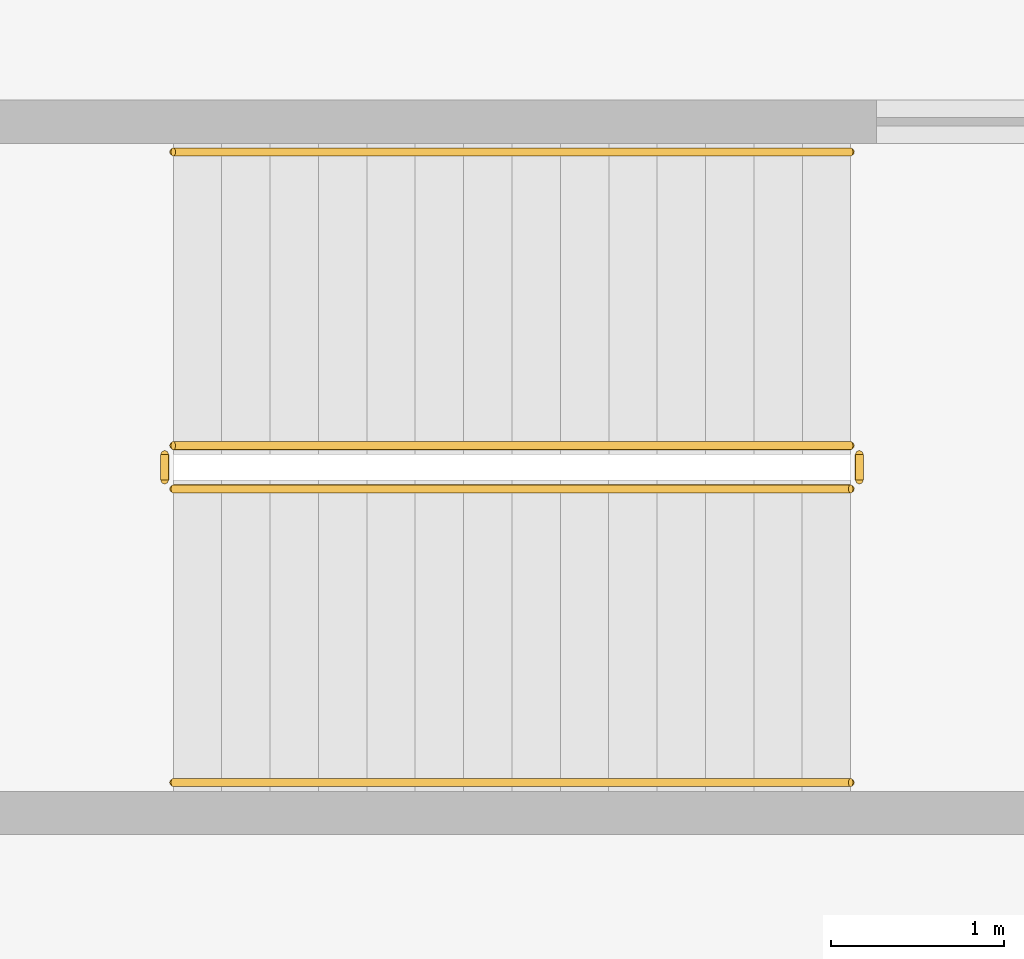
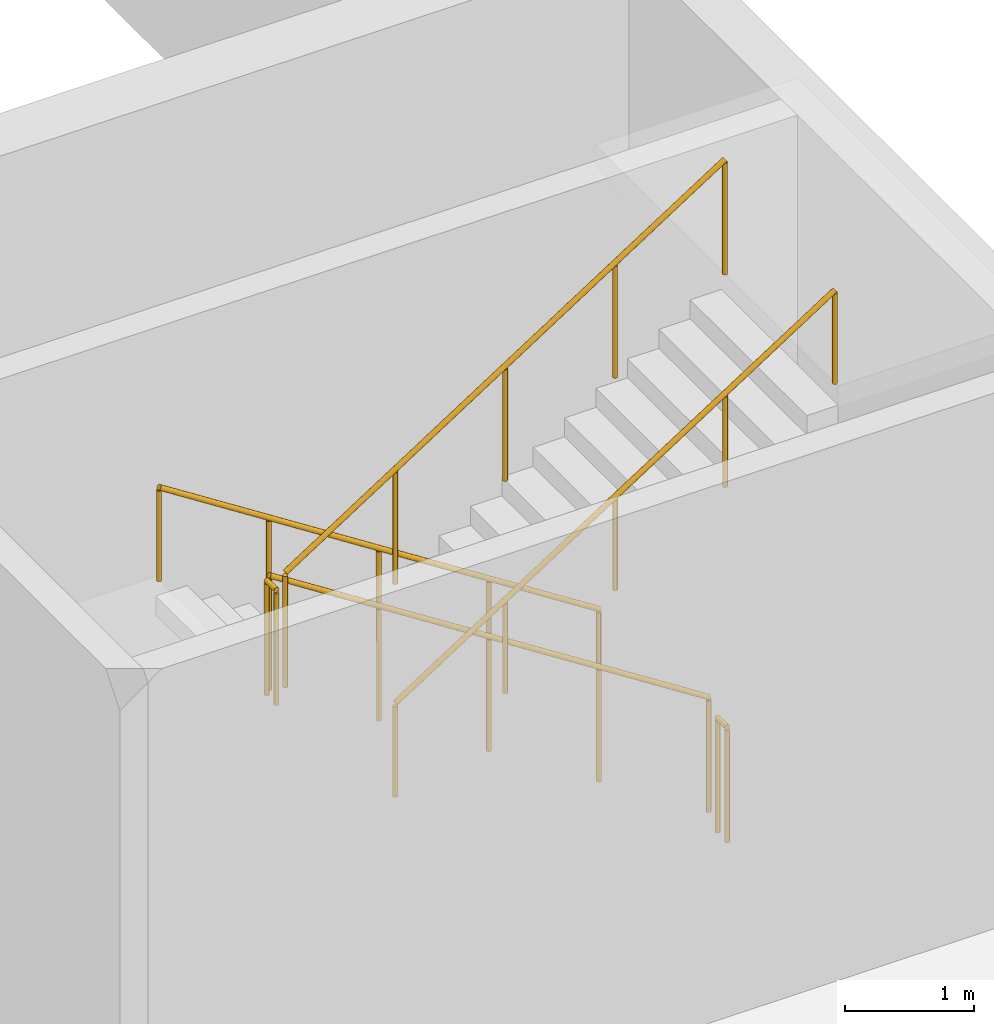
# One storey, part 40 of 43: 6 railings.
"""IFC4 building model written with IfcOpenShell, lengths in metres."""

from ifc_helpers import new_model, si_unit, direction, frame, origin, origin_2d, place, context, subcontext, project, spatial, circle, extrude, material, type_object, element, save


model = new_model("IFC4")

# Units and contexts
model_context = context("Model", 3, precision=1e-05, world=origin(), true_north=direction((0.0, 1.0)))
body_context = subcontext(model_context, "Body", "Model", "MODEL_VIEW")
ifc_project = project(units=[si_unit("LENGTHUNIT", "METRE"), si_unit("AREAUNIT", "SQUARE_METRE"), si_unit("VOLUMEUNIT", "CUBIC_METRE"), si_unit("PLANEANGLEUNIT", "RADIAN"), si_unit("MASSUNIT", "GRAM", prefix="KILO")], contexts=[model_context])

# Site, building, storey
site_placement = place(None, origin())
site = spatial("IfcSite", under=ifc_project, at=site_placement, CompositionType="ELEMENT")
building_placement = place(site_placement, origin())
building = spatial("IfcBuilding", under=site, at=building_placement, Name="Hunhe Ridgeline Campus", CompositionType="ELEMENT")
storey_placement = place(building_placement, frame((0.0, 0.0, 11.39990234375)))
storey = spatial("IfcBuildingStorey", under=building, at=storey_placement, Name="L02", CompositionType="ELEMENT", Elevation=11.39990234375)

# Railings
ifc_material = material(Name="Steel Q235", Category="steel")
railing_type_1 = type_object("IfcRailingType", Name="Hall stair guard 1100", PredefinedType="GUARDRAIL", material=ifc_material)
railing_1_placement = place(storey_placement, frame((207.800048828125, 31.89990234375, 0.18017578125)))
element("IfcRailing", 1, at=railing_1_placement, inside=storey, type_object=railing_type_1, Name="L02 HS3 stair guard 1", PredefinedType="GUARDRAIL", context=body_context, shape_type="SweptSolid", body=[
    extrude(circle(Radius=0.02392578125, at=origin_2d()), frame((0.0, 0.0, 1.076171875), z_axis=(-0.841186985886, 0.0, 0.540744352514), x_axis=(0.0, -1.0, 0.0)), (0.0, 0.0, 1.0), 4.660400390625),
    extrude(circle(Radius=0.02099609375, at=origin_2d()), origin(), (0.0, 0.0, 1.0), 1.052001953125),
    extrude(circle(Radius=0.02099609375, at=origin_2d()), frame((-0.97998046875, 0.0, 0.6298828125)), (0.0, 0.0, 1.0), 1.052001953125),
    extrude(circle(Radius=0.02099609375, at=origin_2d()), frame((-1.9599609375, 0.0, 1.260009765625)), (0.0, 0.0, 1.0), 1.052001953125),
    extrude(circle(Radius=0.02099609375, at=origin_2d()), frame((-2.940185546875, 0.0, 1.89013671875)), (0.0, 0.0, 1.0), 1.052001953125),
    extrude(circle(Radius=0.02099609375, at=origin_2d()), frame((-3.920166015625, 0.0, 2.52001953125)), (0.0, 0.0, 1.0), 1.052001953125),
])
railing_2_placement = place(storey_placement, frame((203.830078125, 31.85009765625, 2.7001953125)))
element("IfcRailing", 2, at=railing_2_placement, inside=storey, type_object=railing_type_1, Name="L02 HS3 stair guard 2", PredefinedType="GUARDRAIL", context=body_context, shape_type="SweptSolid", body=[
    extrude(circle(Radius=0.02392578125, at=origin_2d()), frame((0.0, 0.0, 1.076171875), z_axis=(0.0, -1.0, 0.0), x_axis=(1.0, 0.0, 0.0)), (0.0, 0.0, 1.0), 0.150146484375),
    extrude(circle(Radius=0.02099609375, at=origin_2d()), origin(), (0.0, 0.0, 1.0), 1.052001953125),
    extrude(circle(Radius=0.02099609375, at=origin_2d()), frame((0.0, -0.150146484375, 0.0)), (0.0, 0.0, 1.0), 1.052001953125),
])
railing_3_placement = place(storey_placement, frame((203.8798828125, 31.64990234375, 2.880126953125)))
element("IfcRailing", 3, at=railing_3_placement, inside=storey, type_object=railing_type_1, Name="L02 HS3 stair guard 3", PredefinedType="GUARDRAIL", context=body_context, shape_type="SweptSolid", body=[
    extrude(circle(Radius=0.02392578125, at=origin_2d()), frame((0.0, 0.0, 1.076171875), z_axis=(0.841186985886, 0.0, 0.540744352514), x_axis=(0.0, 1.0, 0.0)), (0.0, 0.0, 1.0), 4.660400390625),
    extrude(circle(Radius=0.02099609375, at=origin_2d()), origin(), (0.0, 0.0, 1.0), 1.052001953125),
    extrude(circle(Radius=0.02099609375, at=origin_2d()), frame((0.97998046875, 0.0, 0.6298828125)), (0.0, 0.0, 1.0), 1.052001953125),
    extrude(circle(Radius=0.02099609375, at=origin_2d()), frame((1.9599609375, 0.0, 1.260009765625)), (0.0, 0.0, 1.0), 1.052001953125),
    extrude(circle(Radius=0.02099609375, at=origin_2d()), frame((2.940185546875, 0.0, 1.89013671875)), (0.0, 0.0, 1.0), 1.052001953125),
    extrude(circle(Radius=0.02099609375, at=origin_2d()), frame((3.920166015625, 0.0, 2.52001953125)), (0.0, 0.0, 1.0), 1.052001953125),
])
railing_4_placement = place(storey_placement, frame((207.85009765625, 31.85009765625, 0.0)))
element("IfcRailing", 4, at=railing_4_placement, inside=storey, type_object=railing_type_1, Name="L02 HS3 stair guard 4", PredefinedType="GUARDRAIL", context=body_context, shape_type="SweptSolid", body=[
    extrude(circle(Radius=0.02392578125, at=origin_2d()), frame((0.0, 0.0, 1.076171875), z_axis=(0.0, -1.0, 0.0), x_axis=(1.0, 0.0, 0.0)), (0.0, 0.0, 1.0), 0.150146484375),
    extrude(circle(Radius=0.02099609375, at=origin_2d()), origin(), (0.0, 0.0, 1.0), 1.052001953125),
    extrude(circle(Radius=0.02099609375, at=origin_2d()), frame((0.0, -0.150146484375, 0.0)), (0.0, 0.0, 1.0), 1.052001953125),
])
railing_type_2 = type_object("IfcRailingType", Name="Hall stair handrail", PredefinedType="HANDRAIL", material=ifc_material)
railing_5_placement = place(storey_placement, frame((207.800048828125, 33.60009765625, 0.18017578125)))
element("IfcRailing", 5, at=railing_5_placement, inside=storey, type_object=railing_type_2, Name="L02 HS3 stair handrail 1", PredefinedType="HANDRAIL", context=body_context, shape_type="SweptSolid", body=[
    extrude(circle(Radius=0.02392578125, at=origin_2d()), frame((0.0, 0.0, 0.8759765625), z_axis=(-0.841186985886, 0.0, 0.540744352514), x_axis=(0.0, -1.0, 0.0)), (0.0, 0.0, 1.0), 4.660400390625),
    extrude(circle(Radius=0.02099609375, at=origin_2d()), origin(), (0.0, 0.0, 1.0), 0.851806640625),
    extrude(circle(Radius=0.02099609375, at=origin_2d()), frame((-0.97998046875, 0.0, 0.6298828125)), (0.0, 0.0, 1.0), 0.851806640625),
    extrude(circle(Radius=0.02099609375, at=origin_2d()), frame((-1.9599609375, 0.0, 1.260009765625)), (0.0, 0.0, 1.0), 0.851806640625),
    extrude(circle(Radius=0.02099609375, at=origin_2d()), frame((-2.940185546875, 0.0, 1.89013671875)), (0.0, 0.0, 1.0), 0.851806640625),
    extrude(circle(Radius=0.02099609375, at=origin_2d()), frame((-3.920166015625, 0.0, 2.52001953125)), (0.0, 0.0, 1.0), 0.851806640625),
])
railing_6_placement = place(storey_placement, frame((203.8798828125, 29.949951171875, 2.880126953125)))
element("IfcRailing", 6, at=railing_6_placement, inside=storey, type_object=railing_type_2, Name="L02 HS3 stair handrail 2", PredefinedType="HANDRAIL", context=body_context, shape_type="SweptSolid", body=[
    extrude(circle(Radius=0.02392578125, at=origin_2d()), frame((0.0, 0.0, 0.8759765625), z_axis=(0.841186985886, 0.0, 0.540744352514), x_axis=(0.0, 1.0, 0.0)), (0.0, 0.0, 1.0), 4.660400390625),
    extrude(circle(Radius=0.02099609375, at=origin_2d()), origin(), (0.0, 0.0, 1.0), 0.851806640625),
    extrude(circle(Radius=0.02099609375, at=origin_2d()), frame((0.97998046875, 0.0, 0.6298828125)), (0.0, 0.0, 1.0), 0.851806640625),
    extrude(circle(Radius=0.02099609375, at=origin_2d()), frame((1.9599609375, 0.0, 1.260009765625)), (0.0, 0.0, 1.0), 0.851806640625),
    extrude(circle(Radius=0.02099609375, at=origin_2d()), frame((2.940185546875, 0.0, 1.89013671875)), (0.0, 0.0, 1.0), 0.851806640625),
    extrude(circle(Radius=0.02099609375, at=origin_2d()), frame((3.920166015625, 0.0, 2.52001953125)), (0.0, 0.0, 1.0), 0.851806640625),
])

save(model, "model.ifc")
